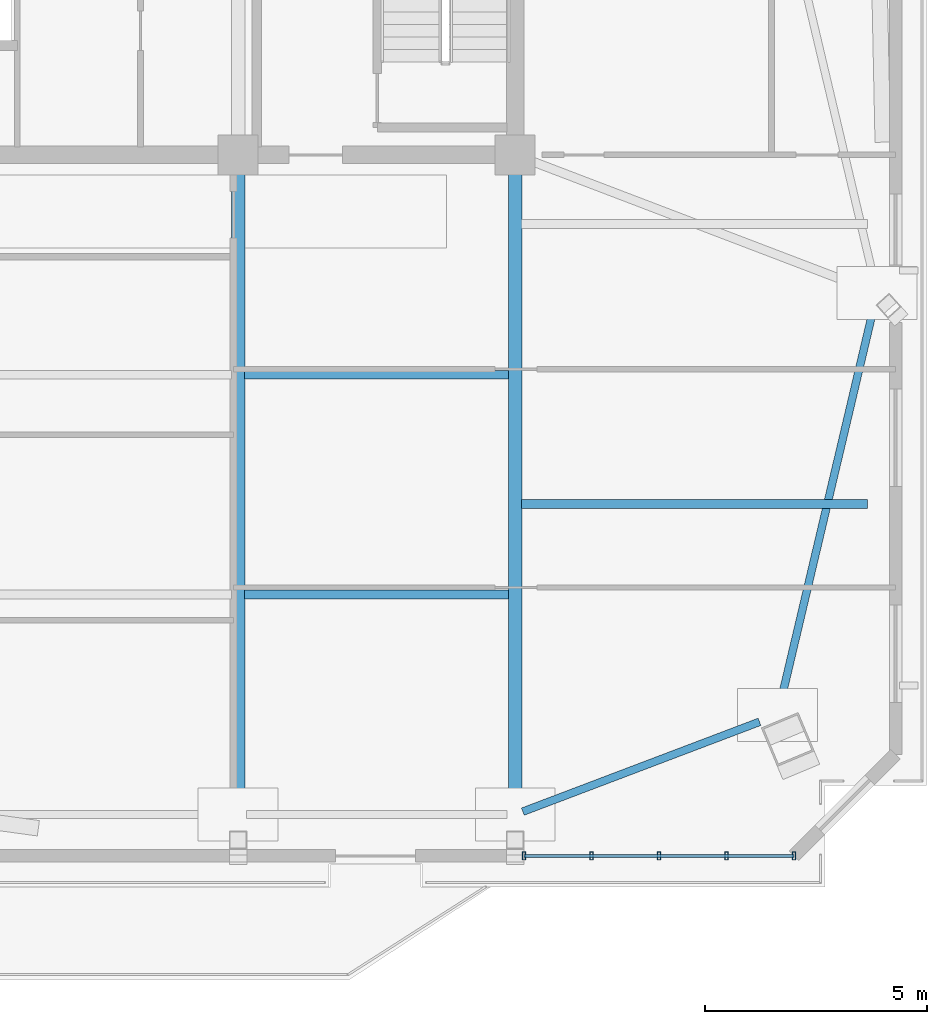
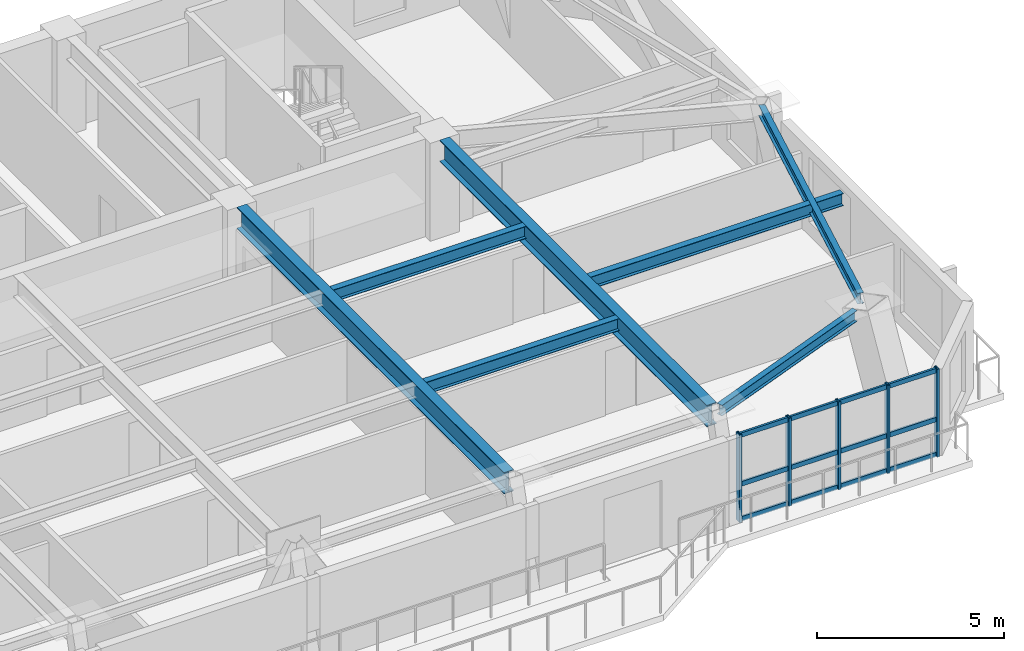
# One storey, part 4 of 13: 8 members, 7 beams, 1 element without a shape of its own.
"""IFC4 building model written with IfcOpenShell, lengths in metres."""

from ifc_helpers import new_model, si_unit, direction, frame, origin, origin_2d, place, context, subcontext, project, spatial, hollow_rectangle, i_section, extrude, source, transform, mapped, material, layer, layer_set, material_profile, profile_set, type_object, element, aggregate, save


model = new_model("IFC4")

# Units and contexts
model_context = context("Model", 3, precision=1e-05, world=origin(), true_north=direction((0.0, 1.0)))
body_context = subcontext(model_context, "Body", "Model", "MODEL_VIEW")
ifc_project = project(units=[si_unit("LENGTHUNIT", "METRE"), si_unit("AREAUNIT", "SQUARE_METRE"), si_unit("VOLUMEUNIT", "CUBIC_METRE"), si_unit("PLANEANGLEUNIT", "RADIAN"), si_unit("MASSUNIT", "GRAM", prefix="KILO")], contexts=[model_context])

# Site, building, storey
site_placement = place(None, origin())
site = spatial("IfcSite", under=ifc_project, at=site_placement, CompositionType="ELEMENT")
building_placement = place(site_placement, origin())
building = spatial("IfcBuilding", under=site, at=building_placement, Name="Giltprow Tower", CompositionType="ELEMENT")
storey_placement = place(building_placement, frame((0.0, 0.0, 332.300048828125)))
storey = spatial("IfcBuildingStorey", under=building, at=storey_placement, Name="L86", CompositionType="ELEMENT", Elevation=332.300048828125)

# Beams
ifc_material_1 = material(Name="Structural steel Q355B", Category="steel")
ifc_material_profile_1 = material_profile(ifc_material_1, i_section(OverallWidth=0.199951171875, OverallDepth=0.39990234375, WebThickness=0.008056640625, FlangeThickness=0.012939453125, at=origin_2d()), Name="HN 400x200x8x13")
ifc_profile_set_1 = profile_set([ifc_material_profile_1], Name="Structural steel Q355B")
beam_type_1 = type_object("IfcBeamType", Name="BM-JOIST-HN400", PredefinedType="JOIST", material=ifc_profile_set_1)
shared_shape_1 = source(origin(), body_context, "Body", "SweptSolid", [
    extrude(i_section(OverallWidth=0.199951171875, OverallDepth=0.39990234375, WebThickness=0.008056640625, FlangeThickness=0.012939453125, at=origin_2d()), origin(), (0.0, 0.0, 1.0), 5.9599609375),
])
for number, where, z_axis, x_axis, name in (
    (1, (44.445068359375, 27.529052734375, 2.98486328125), (1.0, 0.0, 0.0), (0.0, 1.0, 0.0), "L86 Composite Floor Joist 1-4"),
    (2, (44.445068359375, 32.489013671875, 2.98486328125), (1.0, 0.0, 0.0), (0.0, 1.0, 0.0), "L86 Composite Floor Joist 2-4"),
):
    element("IfcBeam", number, at=place(storey_placement, frame(where, z_axis=z_axis, x_axis=x_axis)), inside=storey, type_object=beam_type_1, Name=name, PredefinedType="JOIST", context=body_context, shape_type="MappedRepresentation", body=[
        mapped(shared_shape_1, transform((0.0, 0.0, 0.0), x_axis=(1.0, 0.0, 0.0), y_axis=(0.0, 1.0, 0.0), z_axis=(0.0, 0.0, 1.0), scale=1.0)),
    ])
ifc_material_profile_2 = material_profile(ifc_material_1, i_section(OverallWidth=0.175048828125, OverallDepth=0.35009765625, WebThickness=0.007080078125, FlangeThickness=0.010986328125, at=origin_2d()), Name="HN 350x175x7x11")
ifc_profile_set_2 = profile_set([ifc_material_profile_2], Name="Structural steel Q355B")
beam_type_2 = type_object("IfcBeamType", Name="BM-SPAN-HN350", PredefinedType="SPANDREL", material=ifc_profile_set_2)
shared_shape_2 = source(origin(), body_context, "Body", "SweptSolid", [
    extrude(i_section(OverallWidth=0.175048828125, OverallDepth=0.35009765625, WebThickness=0.007080078125, FlangeThickness=0.010986328125, at=origin_2d()), origin(), (0.0, 0.0, 1.0), 5.71044921875),
])
beam_1_placement = place(storey_placement, frame((50.722900390625, 22.634033203125, 3.010009765625), z_axis=(0.934956945211, 0.354761202221, 0.0), x_axis=(-0.354761202221, 0.934956945211, 0.0)))
element("IfcBeam", 3, at=beam_1_placement, inside=storey, type_object=beam_type_2, Name="L86 Perimeter Spandrel Beam S4-MC_SE", PredefinedType="SPANDREL", context=body_context, shape_type="MappedRepresentation", body=[
    mapped(shared_shape_2, transform((0.0, 0.0, 0.0), x_axis=(1.0, 0.0, 0.0), y_axis=(0.0, 1.0, 0.0), z_axis=(0.0, 0.0, 1.0), scale=1.0)),
])
shared_shape_3 = source(origin(), body_context, "Body", "SweptSolid", [
    extrude(i_section(OverallWidth=0.175048828125, OverallDepth=0.35009765625, WebThickness=0.007080078125, FlangeThickness=0.010986328125, at=origin_2d()), origin(), (0.0, 0.0, 1.0), 9.161865234375),
])
beam_2_placement = place(storey_placement, frame((56.569091796875, 25.237060546875, 3.010009765625), z_axis=(0.22964825006, 0.973273692876, 0.0), x_axis=(-0.973273692876, 0.22964825006, 0.0)))
element("IfcBeam", 4, at=beam_2_placement, inside=storey, type_object=beam_type_2, Name="L86 Perimeter Spandrel Beam MC_SE-E_MID", PredefinedType="SPANDREL", context=body_context, shape_type="MappedRepresentation", body=[
    mapped(shared_shape_3, transform((0.0, 0.0, 0.0), x_axis=(1.0, 0.0, 0.0), y_axis=(0.0, 1.0, 0.0), z_axis=(0.0, 0.0, 1.0), scale=1.0)),
])
ifc_material_profile_3 = material_profile(ifc_material_1, i_section(OverallWidth=0.300048828125, OverallDepth=0.699951171875, WebThickness=0.012939453125, FlangeThickness=0.02392578125, at=origin_2d()), Name="HN 700x300x13x24")
ifc_profile_set_3 = profile_set([ifc_material_profile_3], Name="Structural steel Q355B")
beam_type_3 = type_object("IfcBeamType", Name="BM-GIRD-HN700", PredefinedType="BEAM", material=ifc_profile_set_3)
shared_shape_4 = source(origin(), body_context, "Body", "SweptSolid", [
    extrude(i_section(OverallWidth=0.300048828125, OverallDepth=0.699951171875, WebThickness=0.012939453125, FlangeThickness=0.02392578125, at=origin_2d()), origin(), (0.0, 0.0, 1.0), 14.261962890625),
])
for number, where, z_axis, x_axis, name in (
    (5, (44.300048828125, 22.7529296875, 2.8349609375), (0.0, 1.0, 0.0), (-1.0, 0.0, 0.0), "L86 Primary Lease Girder S3"),
    (6, (50.550048828125, 22.7529296875, 2.8349609375), (0.0, 1.0, 0.0), (-1.0, 0.0, 0.0), "L86 Primary Lease Girder S4"),
):
    element("IfcBeam", number, at=place(storey_placement, frame(where, z_axis=z_axis, x_axis=x_axis)), inside=storey, type_object=beam_type_3, Name=name, PredefinedType="BEAM", context=body_context, shape_type="MappedRepresentation", body=[
        mapped(shared_shape_4, transform((0.0, 0.0, 0.0), x_axis=(1.0, 0.0, 0.0), y_axis=(0.0, 1.0, 0.0), z_axis=(0.0, 0.0, 1.0), scale=1.0)),
    ])
shared_shape_5 = source(origin(), body_context, "Body", "SweptSolid", [
    extrude(i_section(OverallWidth=0.199951171875, OverallDepth=0.39990234375, WebThickness=0.008056640625, FlangeThickness=0.012939453125, at=origin_2d()), origin(), (0.0, 0.0, 1.0), 7.800048828125),
])
beam_3_placement = place(storey_placement, frame((50.695068359375, 29.573974609375, 2.98486328125), z_axis=(1.0, 0.0, 0.0), x_axis=(0.0, 1.0, 0.0)))
element("IfcBeam", 7, at=beam_3_placement, inside=storey, type_object=beam_type_1, Name="L86 East Wing Floor Joist 1", PredefinedType="JOIST", context=body_context, shape_type="MappedRepresentation", body=[
    mapped(shared_shape_5, transform((0.0, 0.0, 0.0), x_axis=(1.0, 0.0, 0.0), y_axis=(0.0, 1.0, 0.0), z_axis=(0.0, 0.0, 1.0), scale=1.0)),
])

# Curtain wall, members
ifc_material_2 = material(Name="Anodized bronze", Category="metal")
ifc_layer = layer(ifc_material_2, 0.179931640625, Name="Anodized bronze")
ifc_layer_set = layer_set([ifc_layer], Name="Anodized bronze")
curtain_wall_type = type_object("IfcCurtainWallType", Name="CW-RES-SKY", PredefinedType="NOTDEFINED", material=ifc_layer_set)
curtain_wall_placement = place(storey_placement, origin())
curtain_wall = element("IfcCurtainWall", 8, at=curtain_wall_placement, inside=storey, type_object=curtain_wall_type, Name="L86 South Recessed Curtain Wall 6", PredefinedType="NOTDEFINED")
ifc_material_profile_4 = material_profile(ifc_material_2, hollow_rectangle(XDim=0.074951171875, YDim=0.179931640625, WallThickness=0.008056640625, at=origin_2d()), Name="RHS 180x75x8")
ifc_profile_set_4 = profile_set([ifc_material_profile_4], Name="Anodized bronze")
member_type_1 = type_object("IfcMemberType", Name="CW-MULLION-180x75", PredefinedType="MULLION", material=ifc_profile_set_4)
shared_shape_6 = source(origin(), body_context, "Body", "SweptSolid", [
    extrude(hollow_rectangle(XDim=0.074951171875, YDim=0.179931640625, WallThickness=0.008056640625, at=origin_2d()), origin(), (0.0, 0.0, 1.0), 2.869873046875),
])
member_1_placement = place(storey_placement, frame((50.75, 21.635986328125, -0.02001953125), z_axis=(0.0, 0.0, 1.0), x_axis=(1.0, 0.0, 0.0)))
member_1 = element("IfcMember", 9, at=member_1_placement, type_object=member_type_1, Name="L86 South Recessed Curtain Wall 6 Mullion 1", PredefinedType="MULLION", context=body_context, shape_type="MappedRepresentation", body=[
    mapped(shared_shape_6, transform((0.0, 0.0, 0.0), x_axis=(1.0, 0.0, 0.0), y_axis=(0.0, 1.0, 0.0), z_axis=(0.0, 0.0, 1.0), scale=1.0)),
])
member_2_placement = place(storey_placement, frame((52.27197265625, 21.635986328125, -0.02001953125), z_axis=(0.0, 0.0, 1.0), x_axis=(1.0, 0.0, 0.0)))
member_2 = element("IfcMember", 10, at=member_2_placement, type_object=member_type_1, Name="L86 South Recessed Curtain Wall 6 Mullion 2", PredefinedType="MULLION", context=body_context, shape_type="MappedRepresentation", body=[
    mapped(shared_shape_6, transform((0.0, 0.0, 0.0), x_axis=(1.0, 0.0, 0.0), y_axis=(0.0, 1.0, 0.0), z_axis=(0.0, 0.0, 1.0), scale=1.0)),
])
member_3_placement = place(storey_placement, frame((53.7939453125, 21.635986328125, -0.02001953125), z_axis=(0.0, 0.0, 1.0), x_axis=(1.0, 0.0, 0.0)))
member_3 = element("IfcMember", 11, at=member_3_placement, type_object=member_type_1, Name="L86 South Recessed Curtain Wall 6 Mullion 3", PredefinedType="MULLION", context=body_context, shape_type="MappedRepresentation", body=[
    mapped(shared_shape_6, transform((0.0, 0.0, 0.0), x_axis=(1.0, 0.0, 0.0), y_axis=(0.0, 1.0, 0.0), z_axis=(0.0, 0.0, 1.0), scale=1.0)),
])
member_4_placement = place(storey_placement, frame((55.31689453125, 21.635986328125, -0.02001953125), z_axis=(0.0, 0.0, 1.0), x_axis=(1.0, 0.0, 0.0)))
member_4 = element("IfcMember", 12, at=member_4_placement, type_object=member_type_1, Name="L86 South Recessed Curtain Wall 6 Mullion 4", PredefinedType="MULLION", context=body_context, shape_type="MappedRepresentation", body=[
    mapped(shared_shape_6, transform((0.0, 0.0, 0.0), x_axis=(1.0, 0.0, 0.0), y_axis=(0.0, 1.0, 0.0), z_axis=(0.0, 0.0, 1.0), scale=1.0)),
])
member_5_placement = place(storey_placement, frame((56.839111328125, 21.635986328125, -0.02001953125), z_axis=(0.0, 0.0, 1.0), x_axis=(1.0, 0.0, 0.0)))
member_5 = element("IfcMember", 13, at=member_5_placement, type_object=member_type_1, Name="L86 South Recessed Curtain Wall 6 Mullion 5", PredefinedType="MULLION", context=body_context, shape_type="MappedRepresentation", body=[
    mapped(shared_shape_6, transform((0.0, 0.0, 0.0), x_axis=(1.0, 0.0, 0.0), y_axis=(0.0, 1.0, 0.0), z_axis=(0.0, 0.0, 1.0), scale=1.0)),
])
ifc_material_profile_5 = material_profile(ifc_material_2, hollow_rectangle(XDim=0.06494140625, YDim=0.14990234375, WallThickness=0.006103515625, at=origin_2d()), Name="RHS 150x65x6")
ifc_profile_set_5 = profile_set([ifc_material_profile_5], Name="Anodized bronze")
member_type_2 = type_object("IfcMemberType", Name="CW-TRANSOM-150x65", PredefinedType="USERDEFINED", material=ifc_profile_set_5)
shared_shape_7 = source(origin(), body_context, "Body", "SweptSolid", [
    extrude(hollow_rectangle(XDim=0.06494140625, YDim=0.14990234375, WallThickness=0.006103515625, at=origin_2d()), origin(), (0.0, 0.0, 1.0), 6.089111328125),
])
member_6_placement = place(storey_placement, frame((50.75, 21.635986328125, 0.0400390625), z_axis=(1.0, 0.0, 0.0), x_axis=(0.0, 1.0, 0.0)))
member_6 = element("IfcMember", 14, at=member_6_placement, type_object=member_type_2, Name="L86 South Recessed Curtain Wall 6 Transom 1", ObjectType="TRANSOM", PredefinedType="USERDEFINED", context=body_context, shape_type="MappedRepresentation", body=[
    mapped(shared_shape_7, transform((0.0, 0.0, 0.0), x_axis=(1.0, 0.0, 0.0), y_axis=(0.0, 1.0, 0.0), z_axis=(0.0, 0.0, 1.0), scale=1.0)),
])
member_7_placement = place(storey_placement, frame((50.75, 21.635986328125, 1.181884765625), z_axis=(1.0, 0.0, 0.0), x_axis=(0.0, 1.0, 0.0)))
member_7 = element("IfcMember", 15, at=member_7_placement, type_object=member_type_2, Name="L86 South Recessed Curtain Wall 6 Transom 2", ObjectType="TRANSOM", PredefinedType="USERDEFINED", context=body_context, shape_type="MappedRepresentation", body=[
    mapped(shared_shape_7, transform((0.0, 0.0, 0.0), x_axis=(1.0, 0.0, 0.0), y_axis=(0.0, 1.0, 0.0), z_axis=(0.0, 0.0, 1.0), scale=1.0)),
])
member_8_placement = place(storey_placement, frame((50.75, 21.635986328125, 2.77490234375), z_axis=(1.0, 0.0, 0.0), x_axis=(0.0, 1.0, 0.0)))
member_8 = element("IfcMember", 16, at=member_8_placement, type_object=member_type_2, Name="L86 South Recessed Curtain Wall 6 Transom 3", ObjectType="TRANSOM", PredefinedType="USERDEFINED", context=body_context, shape_type="MappedRepresentation", body=[
    mapped(shared_shape_7, transform((0.0, 0.0, 0.0), x_axis=(1.0, 0.0, 0.0), y_axis=(0.0, 1.0, 0.0), z_axis=(0.0, 0.0, 1.0), scale=1.0)),
])
aggregate(curtain_wall, [member_1, member_2, member_3, member_4, member_5, member_6, member_7, member_8])

save(model, "model.ifc")
